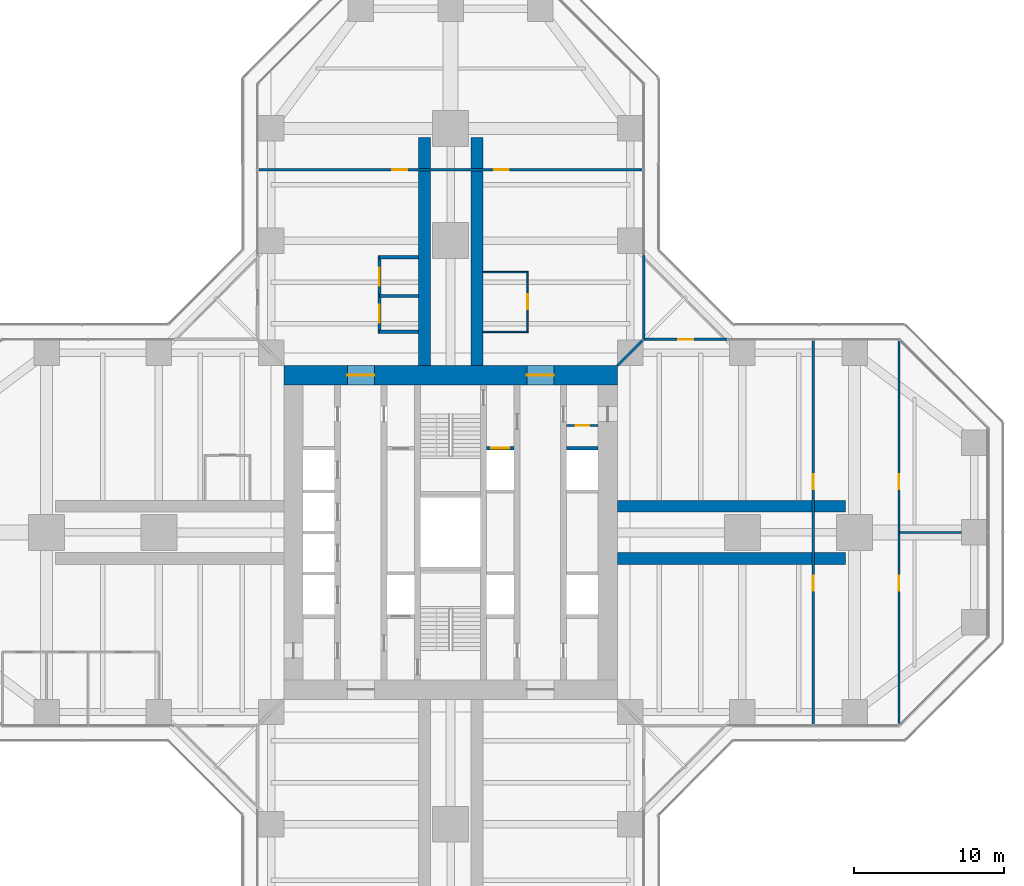
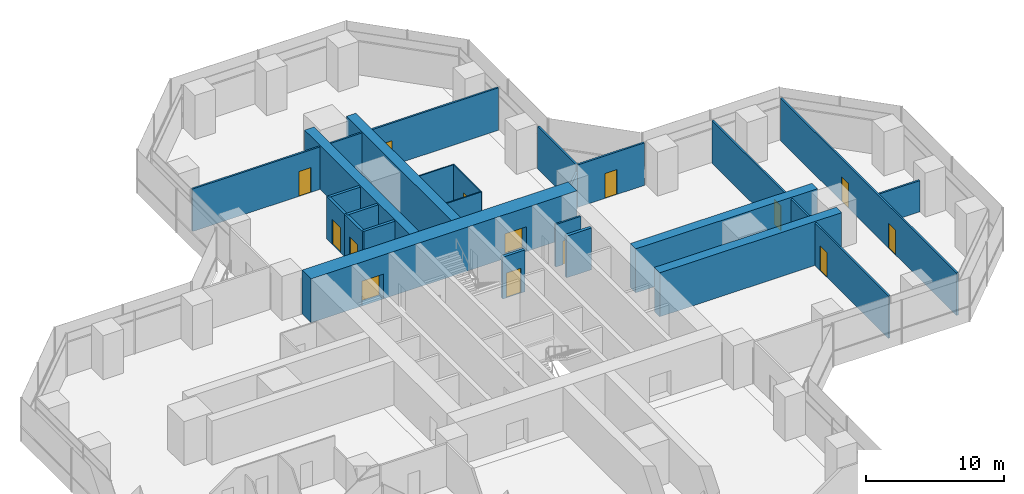
# One storey, part 19 of 22: 23 walls, 14 doors, 14 openings.
"""IFC4 building model written with IfcOpenShell, lengths in metres."""

from ifc_helpers import new_model, si_unit, direction, frame, frame_2d, origin, place, context, subcontext, project, spatial, rectangle, extrude, material, layer, layer_set, type_object, element, fill, save


model = new_model("IFC4")

# Units and contexts
model_context = context("Model", 3, precision=1e-05, world=origin(), true_north=direction((0.0, 1.0)))
body_context = subcontext(model_context, "Body", "Model", "MODEL_VIEW")
ifc_project = project(units=[si_unit("LENGTHUNIT", "METRE"), si_unit("AREAUNIT", "SQUARE_METRE"), si_unit("VOLUMEUNIT", "CUBIC_METRE"), si_unit("PLANEANGLEUNIT", "RADIAN"), si_unit("MASSUNIT", "GRAM", prefix="KILO")], contexts=[model_context])

# Site, building, storey
site_placement = place(None, origin())
site = spatial("IfcSite", under=ifc_project, at=site_placement, CompositionType="ELEMENT")
building_placement = place(site_placement, origin())
building = spatial("IfcBuilding", under=site, at=building_placement, Name="Mizan Broadcast Tower", CompositionType="ELEMENT")
storey_placement = place(building_placement, frame((0.0, 0.0, 74.699951171875)))
storey = spatial("IfcBuildingStorey", under=building, at=storey_placement, Name="L15", CompositionType="ELEMENT", Elevation=74.699951171875)

# Wall, opening, door
ifc_material_1 = material(Name="Concrete blockwork", Category="masonry")
ifc_layer_1 = layer(ifc_material_1, 0.14990234375)
ifc_layer_set_1 = layer_set([ifc_layer_1], Name="Concrete blockwork")
wall_type_1 = type_object("IfcWallType", Name="CORE PARTITION 150", PredefinedType="SOLIDWALL", material=ifc_layer_set_1)
wall_1_placement = place(storey_placement, frame((9.85009765625, 7.14990234375, 0.0), z_axis=(0.0, 0.0, 1.0), x_axis=(-1.0, 0.0, 0.0)))
wall_1 = element("IfcWall", 1, at=wall_1_placement, inside=storey, type_object=wall_type_1, Name="Core partition CORE/XPE", PredefinedType="SOLIDWALL", context=body_context, shape_type="SweptSolid", body=[
    extrude(rectangle(XDim=2.10009765625, YDim=0.14990234375, at=frame_2d((1.050048828125, 0.0))), origin(), (0.0, 0.0, 1.0), 3.77001953125),
])
opening_1_placement = place(wall_1_placement, frame((0.60009765625, 0.0, 0.0)))
opening_1 = element("IfcOpeningElement", 2, at=opening_1_placement, cuts=wall_1, Name="Opening D09F", PredefinedType="OPENING", context=body_context, shape_type="SweptSolid", body=[
    extrude(rectangle(XDim=0.89990234375, YDim=2.10009765625, at=frame_2d((0.449951171875, 1.050048828125))), frame((0.0, 0.0849609375, 0.0), z_axis=(0.0, -1.0, 0.0), x_axis=(1.0, 0.0, 0.0)), (0.0, 0.0, 1.0), 0.169921875),
])
ifc_material_2 = material(Name="Steel door leaf in steel frame", Category="steel")
door_type_1 = type_object("IfcDoorType", Name="CORE ROOM DOOR 900 FD90", OperationType="SINGLE_SWING_LEFT", PredefinedType="DOOR", material=ifc_material_2)
door_1_placement = place(opening_1_placement, origin())
door_1 = element("IfcDoor", 3, at=door_1_placement, inside=storey, type_object=door_type_1, Name="Comms cupboard door", OperationType="SINGLE_SWING_RIGHT", OverallHeight=2.10009765625, OverallWidth=0.89990234375, PredefinedType="DOOR", context=body_context, shape_type="SweptSolid", body=[
    extrude(rectangle(XDim=0.89990234375, YDim=2.10009765625, at=frame_2d((0.449951171875, 1.050048828125))), frame((0.0, 0.02490234375, 0.0), z_axis=(0.0, -1.0, 0.0), x_axis=(1.0, 0.0, 0.0)), (0.0, 0.0, 1.0), 0.050048828125),
])
fill(opening_1, door_1)

# Wall, openings, doors
ifc_material_3 = material(Name="Concrete C70/85", Category="concrete")
ifc_layer_2 = layer(ifc_material_3, 1.300048828125)
ifc_layer_set_2 = layer_set([ifc_layer_2], Name="Concrete C70/85")
wall_type_2 = type_object("IfcWallType", Name="CORE WALL 1300", PredefinedType="SHEAR", material=ifc_layer_set_2)
wall_2_placement = place(storey_placement, frame((-11.14990234375, 10.5, 0.0), z_axis=(0.0, 0.0, 1.0), x_axis=(1.0, 0.0, 0.0)))
wall_2 = element("IfcWall", 4, at=wall_2_placement, inside=storey, type_object=wall_type_2, Name="Core wall N L15", PredefinedType="SHEAR", context=body_context, shape_type="SweptSolid", body=[
    extrude(rectangle(XDim=22.2998046875, YDim=1.300048828125, at=frame_2d((11.14990234375, 0.0))), origin(), (0.0, 0.0, 1.0), 3.900146484375),
])
opening_2_placement = place(wall_2_placement, frame((4.25, 0.0, 0.0)))
opening_2 = element("IfcOpeningElement", 5, at=opening_2_placement, cuts=wall_2, Name="Opening D18F", PredefinedType="OPENING", context=body_context, shape_type="SweptSolid", body=[
    extrude(rectangle(XDim=1.800048828125, YDim=2.199951171875, at=frame_2d((0.89990234375, 1.10009765625))), frame((0.0, 0.659912109375, 0.0), z_axis=(0.0, -1.0, 0.0), x_axis=(1.0, 0.0, 0.0)), (0.0, 0.0, 1.0), 1.320068359375),
])
opening_3_placement = place(wall_2_placement, frame((16.25, 0.0, 0.0)))
opening_3 = element("IfcOpeningElement", 6, at=opening_3_placement, cuts=wall_2, Name="Opening D18F", PredefinedType="OPENING", context=body_context, shape_type="SweptSolid", body=[
    extrude(rectangle(XDim=1.800048828125, YDim=2.199951171875, at=frame_2d((0.89990234375, 1.10009765625))), frame((0.0, 0.659912109375, 0.0), z_axis=(0.0, -1.0, 0.0), x_axis=(1.0, 0.0, 0.0)), (0.0, 0.0, 1.0), 1.320068359375),
])
ifc_material_4 = material(Name="Steel door leaf in steel frame", Category="steel")
door_type_2 = type_object("IfcDoorType", Name="LOBBY DOUBLE DOOR 1800 FD90", OperationType="DOUBLE_DOOR_DOUBLE_SWING", PredefinedType="DOOR", material=ifc_material_4)
door_2_placement = place(opening_2_placement, origin())
door_2 = element("IfcDoor", 7, at=door_2_placement, inside=storey, type_object=door_type_2, Name="West lift lobby north door", OperationType="DOUBLE_DOOR_DOUBLE_SWING", OverallHeight=2.199951171875, OverallWidth=1.800048828125, PredefinedType="DOOR", context=body_context, shape_type="SweptSolid", body=[
    extrude(rectangle(XDim=1.800048828125, YDim=2.199951171875, at=frame_2d((0.89990234375, 1.10009765625))), frame((0.0, 0.02490234375, 0.0), z_axis=(0.0, -1.0, 0.0), x_axis=(1.0, 0.0, 0.0)), (0.0, 0.0, 1.0), 0.050048828125),
])
fill(opening_2, door_2)
door_3_placement = place(opening_3_placement, origin())
door_3 = element("IfcDoor", 8, at=door_3_placement, inside=storey, type_object=door_type_2, Name="East lift lobby north door", OperationType="DOUBLE_DOOR_DOUBLE_SWING", OverallHeight=2.199951171875, OverallWidth=1.800048828125, PredefinedType="DOOR", context=body_context, shape_type="SweptSolid", body=[
    extrude(rectangle(XDim=1.800048828125, YDim=2.199951171875, at=frame_2d((0.89990234375, 1.10009765625))), frame((0.0, 0.02490234375, 0.0), z_axis=(0.0, -1.0, 0.0), x_axis=(1.0, 0.0, 0.0)), (0.0, 0.0, 1.0), 0.050048828125),
])
fill(opening_3, door_3)

# Wall, opening, door
ifc_material_5 = material(Name="Aluminium framed glazed screen", Category="aluminium")
ifc_layer_3 = layer(ifc_material_5, 0.159912109375)
ifc_layer_set_3 = layer_set([ifc_layer_3], Name="Aluminium framed glazed screen")
wall_type_3 = type_object("IfcWallType", Name="GLAZED SCREEN WALL 160", PredefinedType="SOLIDWALL", material=ifc_layer_set_3)
wall_3_placement = place(storey_placement, frame((18.5, 12.89990234375, 0.0), z_axis=(0.0, 0.0, 1.0), x_axis=(-1.0, 0.0, 0.0)))
wall_3 = element("IfcWall", 9, at=wall_3_placement, inside=storey, type_object=wall_type_3, Name="Winter garden screen L15 E", PredefinedType="SOLIDWALL", context=body_context, shape_type="SweptSolid", body=[
    extrude(rectangle(XDim=5.60009765625, YDim=0.159912109375, at=frame_2d((2.800048828125, 0.0))), origin(), (0.0, 0.0, 1.0), 3.77001953125),
])
opening_4_placement = place(wall_3_placement, frame((2.300048828125, 0.0, 0.0)))
opening_4 = element("IfcOpeningElement", 10, at=opening_4_placement, cuts=wall_3, Name="Opening WGD", PredefinedType="OPENING", context=body_context, shape_type="SweptSolid", body=[
    extrude(rectangle(XDim=1.0, YDim=2.199951171875, at=frame_2d((0.5, 1.10009765625))), frame((0.0, 0.08984375, 0.0), z_axis=(0.0, -1.0, 0.0), x_axis=(1.0, 0.0, 0.0)), (0.0, 0.0, 1.0), 0.179931640625),
])
ifc_material_6 = material(Name="Aluminium framed glazed door", Category="aluminium")
door_type_3 = type_object("IfcDoorType", Name="WINTER GARDEN DOOR 1000 GLAZED", OperationType="SINGLE_SWING_LEFT", PredefinedType="DOOR", material=ifc_material_6)
door_4_placement = place(opening_4_placement, origin())
door_4 = element("IfcDoor", 11, at=door_4_placement, inside=storey, type_object=door_type_3, Name="Winter garden door L15 E", OperationType="SINGLE_SWING_RIGHT", OverallHeight=2.199951171875, OverallWidth=1.0, PredefinedType="DOOR", context=body_context, shape_type="SweptSolid", body=[
    extrude(rectangle(XDim=1.0, YDim=2.199951171875, at=frame_2d((0.5, 1.10009765625))), frame((0.0, 0.02490234375, 0.0), z_axis=(0.0, -1.0, 0.0), x_axis=(1.0, 0.0, 0.0)), (0.0, 0.0, 1.0), 0.050048828125),
])
fill(opening_4, door_4)

# Wall
wall_4_placement = place(storey_placement, frame((12.89990234375, 12.89990234375, 0.0), z_axis=(0.0, 0.0, 1.0), x_axis=(0.0, 1.0, 0.0)))
element("IfcWall", 12, at=wall_4_placement, inside=storey, type_object=wall_type_3, Name="Winter garden screen L15 N", PredefinedType="SOLIDWALL", context=body_context, shape_type="SweptSolid", body=[
    extrude(rectangle(XDim=5.60009765625, YDim=0.159912109375, at=frame_2d((2.800048828125, 0.0))), origin(), (0.0, 0.0, 1.0), 3.77001953125),
])

# Wall, opening, door
ifc_material_7 = material(Name="Concrete blockwork", Category="masonry")
ifc_layer_4 = layer(ifc_material_7, 0.25)
ifc_layer_set_4 = layer_set([ifc_layer_4], Name="Concrete blockwork")
wall_type_4 = type_object("IfcWallType", Name="LOBBY ENCLOSURE WALL 250", PredefinedType="SOLIDWALL", material=ifc_layer_set_4)
wall_5_placement = place(storey_placement, frame((2.39990234375, 5.625, 0.0), z_axis=(0.0, 0.0, 1.0), x_axis=(1.0, 0.0, 0.0)))
wall_5 = element("IfcWall", 13, at=wall_5_placement, inside=storey, type_object=wall_type_4, Name="Lobby enclosure wall CORE/BE2N", PredefinedType="SOLIDWALL", context=body_context, shape_type="SweptSolid", body=[
    extrude(rectangle(XDim=1.85009765625, YDim=0.25, at=frame_2d((0.925048828125, 0.0))), origin(), (0.0, 0.0, 1.0), 3.699951171875),
])
opening_5_placement = place(wall_5_placement, frame((0.324951171875, 0.0, 0.0)))
opening_5 = element("IfcOpeningElement", 14, at=opening_5_placement, cuts=wall_5, Name="Opening LDF", PredefinedType="OPENING", context=body_context, shape_type="SweptSolid", body=[
    extrude(rectangle(XDim=1.199951171875, YDim=2.199951171875, at=frame_2d((0.60009765625, 1.10009765625))), frame((0.0, 0.135009765625, 0.0), z_axis=(0.0, -1.0, 0.0), x_axis=(1.0, 0.0, 0.0)), (0.0, 0.0, 1.0), 0.27001953125),
])
ifc_material_8 = material(Name="Steel door leaf in steel frame", Category="steel")
door_type_4 = type_object("IfcDoorType", Name="FIREFIGHTING LIFT LANDING DOOR 1200", OperationType="SLIDING_TO_LEFT", PredefinedType="DOOR", material=ifc_material_8)
door_5_placement = place(opening_5_placement, origin())
door_5 = element("IfcDoor", 15, at=door_5_placement, inside=storey, type_object=door_type_4, Name="Landing door FF2", OperationType="SLIDING_TO_LEFT", OverallHeight=2.199951171875, OverallWidth=1.199951171875, PredefinedType="DOOR", context=body_context, shape_type="SweptSolid", body=[
    extrude(rectangle(XDim=1.199951171875, YDim=2.199951171875, at=frame_2d((0.60009765625, 1.10009765625))), frame((0.0, 0.02490234375, 0.0), z_axis=(0.0, -1.0, 0.0), x_axis=(1.0, 0.0, 0.0)), (0.0, 0.0, 1.0), 0.050048828125),
])
fill(opening_5, door_5)

# Wall
wall_6_placement = place(storey_placement, frame((7.75, 5.625, 0.0), z_axis=(0.0, 0.0, 1.0), x_axis=(1.0, 0.0, 0.0)))
element("IfcWall", 16, at=wall_6_placement, inside=storey, type_object=wall_type_4, Name="Lobby enclosure wall CORE/BE1N", PredefinedType="SOLIDWALL", context=body_context, shape_type="SweptSolid", body=[
    extrude(rectangle(XDim=2.10009765625, YDim=0.25, at=frame_2d((1.050048828125, 0.0))), origin(), (0.0, 0.0, 1.0), 3.699951171875),
])

# Wall, openings, doors
ifc_material_9 = material(Name="Gypsum board on steel studs", Category="steel")
ifc_layer_5 = layer(ifc_material_9, 0.14990234375)
ifc_layer_set_5 = layer_set([ifc_layer_5], Name="Gypsum board on steel studs")
wall_type_5 = type_object("IfcWallType", Name="PARTITION 150", PredefinedType="PARTITIONING", material=ifc_layer_set_5)
wall_7_placement = place(storey_placement, frame((24.22900390625, -12.820068359375, 0.0), z_axis=(0.0, 0.0, 1.0), x_axis=(0.0, 1.0, 0.0)))
wall_7 = element("IfcWall", 17, at=wall_7_placement, inside=storey, type_object=wall_type_5, Name="Partition PT/EX1", PredefinedType="PARTITIONING", context=body_context, shape_type="SweptSolid", body=[
    extrude(rectangle(XDim=25.64013671875, YDim=0.14990234375, at=frame_2d((12.820068359375, 0.0))), origin(), (0.0, 0.0, 1.0), 3.77001953125),
])
opening_6_placement = place(wall_7_placement, frame((15.719970703125, 0.0, 0.0)))
opening_6 = element("IfcOpeningElement", 18, at=opening_6_placement, cuts=wall_7, Name="Opening D10", PredefinedType="OPENING", context=body_context, shape_type="SweptSolid", body=[
    extrude(rectangle(XDim=1.0, YDim=2.199951171875, at=frame_2d((0.5, 1.10009765625))), frame((0.0, 0.0849609375, 0.0), z_axis=(0.0, -1.0, 0.0), x_axis=(1.0, 0.0, 0.0)), (0.0, 0.0, 1.0), 0.169921875),
])
opening_7_placement = place(wall_7_placement, frame((8.919921875, 0.0, 0.0)))
opening_7 = element("IfcOpeningElement", 19, at=opening_7_placement, cuts=wall_7, Name="Opening D10", PredefinedType="OPENING", context=body_context, shape_type="SweptSolid", body=[
    extrude(rectangle(XDim=1.0, YDim=2.199951171875, at=frame_2d((0.5, 1.10009765625))), frame((0.0, 0.0849609375, 0.0), z_axis=(0.0, -1.0, 0.0), x_axis=(1.0, 0.0, 0.0)), (0.0, 0.0, 1.0), 0.169921875),
])
ifc_material_10 = material(Name="Timber door leaf in aluminium frame", Category="wood")
door_type_5 = type_object("IfcDoorType", Name="ROOM DOOR 1000", OperationType="SINGLE_SWING_LEFT", PredefinedType="DOOR", material=ifc_material_10)
door_6_placement = place(opening_6_placement, origin())
door_6 = element("IfcDoor", 20, at=door_6_placement, inside=storey, type_object=door_type_5, Name="Open office door", OperationType="SINGLE_SWING_RIGHT", OverallHeight=2.199951171875, OverallWidth=1.0, PredefinedType="DOOR", context=body_context, shape_type="SweptSolid", body=[
    extrude(rectangle(XDim=1.0, YDim=2.199951171875, at=frame_2d((0.5, 1.10009765625))), frame((0.0, 0.02490234375, 0.0), z_axis=(0.0, -1.0, 0.0), x_axis=(1.0, 0.0, 0.0)), (0.0, 0.0, 1.0), 0.050048828125),
])
fill(opening_6, door_6)
door_7_placement = place(opening_7_placement, origin())
door_7 = element("IfcDoor", 21, at=door_7_placement, inside=storey, type_object=door_type_5, Name="Open office door", OperationType="SINGLE_SWING_LEFT", OverallHeight=2.199951171875, OverallWidth=1.0, PredefinedType="DOOR", context=body_context, shape_type="SweptSolid", body=[
    extrude(rectangle(XDim=1.0, YDim=2.199951171875, at=frame_2d((0.5, 1.10009765625))), frame((0.0, 0.02490234375, 0.0), z_axis=(0.0, -1.0, 0.0), x_axis=(1.0, 0.0, 0.0)), (0.0, 0.0, 1.0), 0.050048828125),
])
fill(opening_7, door_7)

wall_8_placement = place(storey_placement, frame((29.958984375, -12.786376953125, 0.0), z_axis=(0.0, 0.0, 1.0), x_axis=(0.0, 1.0, 0.0)))
wall_8 = element("IfcWall", 22, at=wall_8_placement, inside=storey, type_object=wall_type_5, Name="Partition PT/EX2", PredefinedType="PARTITIONING", context=body_context, shape_type="SweptSolid", body=[
    extrude(rectangle(XDim=25.57275390625, YDim=0.14990234375, at=frame_2d((12.786376953125, 0.0))), origin(), (0.0, 0.0, 1.0), 3.77001953125),
])
opening_8_placement = place(wall_8_placement, frame((15.6865234375, 0.0, 0.0)))
opening_8 = element("IfcOpeningElement", 23, at=opening_8_placement, cuts=wall_8, Name="Opening D10", PredefinedType="OPENING", context=body_context, shape_type="SweptSolid", body=[
    extrude(rectangle(XDim=1.0, YDim=2.199951171875, at=frame_2d((0.5, 1.10009765625))), frame((0.0, 0.0849609375, 0.0), z_axis=(0.0, -1.0, 0.0), x_axis=(1.0, 0.0, 0.0)), (0.0, 0.0, 1.0), 0.169921875),
])
opening_9_placement = place(wall_8_placement, frame((8.886474609375, 0.0, 0.0)))
opening_9 = element("IfcOpeningElement", 24, at=opening_9_placement, cuts=wall_8, Name="Opening D10", PredefinedType="OPENING", context=body_context, shape_type="SweptSolid", body=[
    extrude(rectangle(XDim=1.0, YDim=2.199951171875, at=frame_2d((0.5, 1.10009765625))), frame((0.0, 0.0849609375, 0.0), z_axis=(0.0, -1.0, 0.0), x_axis=(1.0, 0.0, 0.0)), (0.0, 0.0, 1.0), 0.169921875),
])
door_8_placement = place(opening_8_placement, origin())
door_8 = element("IfcDoor", 25, at=door_8_placement, inside=storey, type_object=door_type_5, Name="Open office door", OperationType="SINGLE_SWING_RIGHT", OverallHeight=2.199951171875, OverallWidth=1.0, PredefinedType="DOOR", context=body_context, shape_type="SweptSolid", body=[
    extrude(rectangle(XDim=1.0, YDim=2.199951171875, at=frame_2d((0.5, 1.10009765625))), frame((0.0, 0.02490234375, 0.0), z_axis=(0.0, -1.0, 0.0), x_axis=(1.0, 0.0, 0.0)), (0.0, 0.0, 1.0), 0.050048828125),
])
fill(opening_8, door_8)
door_9_placement = place(opening_9_placement, origin())
door_9 = element("IfcDoor", 26, at=door_9_placement, inside=storey, type_object=door_type_5, Name="Open office door", OperationType="SINGLE_SWING_LEFT", OverallHeight=2.199951171875, OverallWidth=1.0, PredefinedType="DOOR", context=body_context, shape_type="SweptSolid", body=[
    extrude(rectangle(XDim=1.0, YDim=2.199951171875, at=frame_2d((0.5, 1.10009765625))), frame((0.0, 0.02490234375, 0.0), z_axis=(0.0, -1.0, 0.0), x_axis=(1.0, 0.0, 0.0)), (0.0, 0.0, 1.0), 0.050048828125),
])
fill(opening_9, door_9)

# Wall
wall_9_placement = place(storey_placement, frame((29.958984375, 0.0, 0.0), z_axis=(0.0, 0.0, 1.0), x_axis=(1.0, 0.0, 0.0)))
element("IfcWall", 27, at=wall_9_placement, inside=storey, type_object=wall_type_5, Name="Partition PT/EES", PredefinedType="PARTITIONING", context=body_context, shape_type="SweptSolid", body=[
    extrude(rectangle(XDim=4.19091796875, YDim=0.14990234375, at=frame_2d((2.095458984375, 0.0))), origin(), (0.0, 0.0, 1.0), 2.77001953125),
])

# Wall, openings, doors
wall_10_placement = place(storey_placement, frame((12.820068359375, 24.22900390625, 0.0), z_axis=(0.0, 0.0, 1.0), x_axis=(-1.0, 0.0, 0.0)))
wall_10 = element("IfcWall", 28, at=wall_10_placement, inside=storey, type_object=wall_type_5, Name="Partition PT/NX1", PredefinedType="PARTITIONING", context=body_context, shape_type="SweptSolid", body=[
    extrude(rectangle(XDim=25.64013671875, YDim=0.14990234375, at=frame_2d((12.820068359375, 0.0))), origin(), (0.0, 0.0, 1.0), 3.77001953125),
])
opening_10_placement = place(wall_10_placement, frame((15.719970703125, 0.0, 0.0)))
opening_10 = element("IfcOpeningElement", 29, at=opening_10_placement, cuts=wall_10, Name="Opening D10", PredefinedType="OPENING", context=body_context, shape_type="SweptSolid", body=[
    extrude(rectangle(XDim=1.0, YDim=2.199951171875, at=frame_2d((0.5, 1.10009765625))), frame((0.0, 0.0849609375, 0.0), z_axis=(0.0, -1.0, 0.0), x_axis=(1.0, 0.0, 0.0)), (0.0, 0.0, 1.0), 0.169921875),
])
opening_11_placement = place(wall_10_placement, frame((8.919921875, 0.0, 0.0)))
opening_11 = element("IfcOpeningElement", 30, at=opening_11_placement, cuts=wall_10, Name="Opening D10", PredefinedType="OPENING", context=body_context, shape_type="SweptSolid", body=[
    extrude(rectangle(XDim=1.0, YDim=2.199951171875, at=frame_2d((0.5, 1.10009765625))), frame((0.0, 0.0849609375, 0.0), z_axis=(0.0, -1.0, 0.0), x_axis=(1.0, 0.0, 0.0)), (0.0, 0.0, 1.0), 0.169921875),
])
door_10_placement = place(opening_10_placement, origin())
door_10 = element("IfcDoor", 31, at=door_10_placement, inside=storey, type_object=door_type_5, Name="Collaboration area door", OperationType="SINGLE_SWING_RIGHT", OverallHeight=2.199951171875, OverallWidth=1.0, PredefinedType="DOOR", context=body_context, shape_type="SweptSolid", body=[
    extrude(rectangle(XDim=1.0, YDim=2.199951171875, at=frame_2d((0.5, 1.10009765625))), frame((0.0, 0.02490234375, 0.0), z_axis=(0.0, -1.0, 0.0), x_axis=(1.0, 0.0, 0.0)), (0.0, 0.0, 1.0), 0.050048828125),
])
fill(opening_10, door_10)
door_11_placement = place(opening_11_placement, origin())
door_11 = element("IfcDoor", 32, at=door_11_placement, inside=storey, type_object=door_type_5, Name="Collaboration area door", OperationType="SINGLE_SWING_LEFT", OverallHeight=2.199951171875, OverallWidth=1.0, PredefinedType="DOOR", context=body_context, shape_type="SweptSolid", body=[
    extrude(rectangle(XDim=1.0, YDim=2.199951171875, at=frame_2d((0.5, 1.10009765625))), frame((0.0, 0.02490234375, 0.0), z_axis=(0.0, -1.0, 0.0), x_axis=(1.0, 0.0, 0.0)), (0.0, 0.0, 1.0), 0.050048828125),
])
fill(opening_11, door_11)

# Walls
wall_11_placement = place(storey_placement, frame((11.14990234375, 11.14990234375, 0.0), z_axis=(0.0, 0.0, 1.0), x_axis=(0.707106781187, 0.707106781187, 0.0)))
element("IfcWall", 33, at=wall_11_placement, inside=storey, type_object=wall_type_5, Name="Partition PT/DGEN", PredefinedType="PARTITIONING", context=body_context, shape_type="SweptSolid", body=[
    extrude(rectangle(XDim=2.362060546875, YDim=0.14990234375, at=frame_2d((1.18115234375, 0.0))), origin(), (0.0, 0.0, 1.0), 3.219970703125),
])
ifc_material_11 = material(Name="Twin steel stud acoustic partition, four layers of gypsum board", Category="steel")
ifc_layer_6 = layer(ifc_material_11, 0.22509765625)
ifc_layer_set_6 = layer_set([ifc_layer_6], Name="Twin steel stud acoustic partition, four layers of gypsum board")
wall_type_6 = type_object("IfcWallType", Name="PARTITION ACOUSTIC 225", PredefinedType="PARTITIONING", material=ifc_layer_set_6)
for number, where, z_axis, x_axis, name in (
    (34, (-2.14990234375, 13.39990234375, 0.0), (0.0, 0.0, 1.0), (-1.0, 0.0, 0.0), "Acoustic partition PT/NKP0a"),
    (35, (-2.14990234375, 15.800048828125, 0.0), (0.0, 0.0, 1.0), (-1.0, 0.0, 0.0), "Acoustic partition PT/NKP0b"),
):
    element("IfcWall", number, at=place(storey_placement, frame(where, z_axis=z_axis, x_axis=x_axis)), inside=storey, type_object=wall_type_6, Name=name, PredefinedType="PARTITIONING", context=body_context, shape_type="SweptSolid", body=[
        extrude(rectangle(XDim=2.60009765625, YDim=0.22509765625, at=frame_2d((1.300048828125, 0.0))), origin(), (0.0, 0.0, 1.0), 3.77001953125),
    ])

# Wall, opening, door
wall_12_placement = place(storey_placement, frame((-4.75, 13.28759765625, 0.0), z_axis=(0.0, 0.0, 1.0), x_axis=(0.0, 1.0, 0.0)))
wall_12 = element("IfcWall", 36, at=wall_12_placement, inside=storey, type_object=wall_type_6, Name="Acoustic partition PT/NKP0f", PredefinedType="PARTITIONING", context=body_context, shape_type="SweptSolid", body=[
    extrude(rectangle(XDim=2.625, YDim=0.22509765625, at=frame_2d((1.3125, 0.0))), origin(), (0.0, 0.0, 1.0), 3.77001953125),
])
opening_12_placement = place(wall_12_placement, frame((0.71240234375, 0.0, 0.0)))
opening_12 = element("IfcOpeningElement", 37, at=opening_12_placement, cuts=wall_12, Name="Opening D12A", PredefinedType="OPENING", context=body_context, shape_type="SweptSolid", body=[
    extrude(rectangle(XDim=1.199951171875, YDim=2.199951171875, at=frame_2d((0.60009765625, 1.10009765625))), frame((0.0, 0.12255859375, 0.0), z_axis=(0.0, -1.0, 0.0), x_axis=(1.0, 0.0, 0.0)), (0.0, 0.0, 1.0), 0.2451171875),
])
ifc_material_12 = material(Name="Timber door leaf in aluminium frame", Category="wood")
door_type_6 = type_object("IfcDoorType", Name="ACOUSTIC DOOR 1200", OperationType="SINGLE_SWING_LEFT", PredefinedType="DOOR", material=ifc_material_12)
door_12_placement = place(opening_12_placement, origin())
door_12 = element("IfcDoor", 38, at=door_12_placement, inside=storey, type_object=door_type_6, Name="Podcast booth door", OperationType="SINGLE_SWING_LEFT", OverallHeight=2.199951171875, OverallWidth=1.199951171875, PredefinedType="DOOR", context=body_context, shape_type="SweptSolid", body=[
    extrude(rectangle(XDim=1.199951171875, YDim=2.199951171875, at=frame_2d((0.60009765625, 1.10009765625))), frame((0.0, 0.02490234375, 0.0), z_axis=(0.0, -1.0, 0.0), x_axis=(1.0, 0.0, 0.0)), (0.0, 0.0, 1.0), 0.050048828125),
])
fill(opening_12, door_12)

# Wall
wall_13_placement = place(storey_placement, frame((-2.14990234375, 18.39990234375, 0.0), z_axis=(0.0, 0.0, 1.0), x_axis=(-1.0, 0.0, 0.0)))
element("IfcWall", 39, at=wall_13_placement, inside=storey, type_object=wall_type_6, Name="Acoustic partition PT/NKP1b", PredefinedType="PARTITIONING", context=body_context, shape_type="SweptSolid", body=[
    extrude(rectangle(XDim=2.60009765625, YDim=0.22509765625, at=frame_2d((1.300048828125, 0.0))), origin(), (0.0, 0.0, 1.0), 3.77001953125),
])

# Wall, opening, door
wall_14_placement = place(storey_placement, frame((-4.75, 15.91259765625, 0.0), z_axis=(0.0, 0.0, 1.0), x_axis=(0.0, 1.0, 0.0)))
wall_14 = element("IfcWall", 40, at=wall_14_placement, inside=storey, type_object=wall_type_6, Name="Acoustic partition PT/NKP1f", PredefinedType="PARTITIONING", context=body_context, shape_type="SweptSolid", body=[
    extrude(rectangle(XDim=2.599853515625, YDim=0.22509765625, at=frame_2d((1.2998046875, 0.0))), origin(), (0.0, 0.0, 1.0), 3.77001953125),
])
opening_13_placement = place(wall_14_placement, frame((0.58740234375, 0.0, 0.0)))
opening_13 = element("IfcOpeningElement", 41, at=opening_13_placement, cuts=wall_14, Name="Opening D12A", PredefinedType="OPENING", context=body_context, shape_type="SweptSolid", body=[
    extrude(rectangle(XDim=1.199951171875, YDim=2.199951171875, at=frame_2d((0.60009765625, 1.10009765625))), frame((0.0, 0.12255859375, 0.0), z_axis=(0.0, -1.0, 0.0), x_axis=(1.0, 0.0, 0.0)), (0.0, 0.0, 1.0), 0.2451171875),
])
door_13_placement = place(opening_13_placement, origin())
door_13 = element("IfcDoor", 42, at=door_13_placement, inside=storey, type_object=door_type_6, Name="Podcast booth door", OperationType="SINGLE_SWING_LEFT", OverallHeight=2.199951171875, OverallWidth=1.199951171875, PredefinedType="DOOR", context=body_context, shape_type="SweptSolid", body=[
    extrude(rectangle(XDim=1.199951171875, YDim=2.199951171875, at=frame_2d((0.60009765625, 1.10009765625))), frame((0.0, 0.02490234375, 0.0), z_axis=(0.0, -1.0, 0.0), x_axis=(1.0, 0.0, 0.0)), (0.0, 0.0, 1.0), 0.050048828125),
])
fill(opening_13, door_13)

# Walls
ifc_material_13 = material(Name="Glazed aluminium partition on aluminium track", Category="aluminium")
ifc_layer_7 = layer(ifc_material_13, 0.10009765625)
ifc_layer_set_7 = layer_set([ifc_layer_7], Name="Glazed aluminium partition on aluminium track")
wall_type_7 = type_object("IfcWallType", Name="PARTITION GLAZED OFFICE FRONT 100", PredefinedType="PARTITIONING", material=ifc_layer_set_7)
for number, where, z_axis, x_axis, name in (
    (43, (2.14990234375, 13.39990234375, 0.0), (0.0, 0.0, 1.0), (1.0, 0.0, 0.0), "Glazed office front PT/NKN0a"),
    (44, (2.14990234375, 17.39990234375, 0.0), (0.0, 0.0, 1.0), (1.0, 0.0, 0.0), "Glazed office front PT/NKN0b"),
):
    element("IfcWall", number, at=place(storey_placement, frame(where, z_axis=z_axis, x_axis=x_axis)), inside=storey, type_object=wall_type_7, Name=name, PredefinedType="PARTITIONING", context=body_context, shape_type="SweptSolid", body=[
        extrude(rectangle(XDim=3.0, YDim=0.10009765625, at=frame_2d((1.5, 0.0))), origin(), (0.0, 0.0, 1.0), 3.77001953125),
    ])

# Wall, opening, door
wall_15_placement = place(storey_placement, frame((5.14990234375, 13.35009765625, 0.0), z_axis=(0.0, 0.0, 1.0), x_axis=(0.0, 1.0, 0.0)))
wall_15 = element("IfcWall", 45, at=wall_15_placement, inside=storey, type_object=wall_type_7, Name="Glazed office front PT/NKN0f", PredefinedType="PARTITIONING", context=body_context, shape_type="SweptSolid", body=[
    extrude(rectangle(XDim=4.099853515625, YDim=0.10009765625, at=frame_2d((2.0498046875, 0.0))), origin(), (0.0, 0.0, 1.0), 3.77001953125),
])
opening_14_placement = place(wall_15_placement, frame((1.550048828125, 0.0, 0.0)))
opening_14 = element("IfcOpeningElement", 46, at=opening_14_placement, cuts=wall_15, Name="Opening D10O", PredefinedType="OPENING", context=body_context, shape_type="SweptSolid", body=[
    extrude(rectangle(XDim=1.0, YDim=2.199951171875, at=frame_2d((0.5, 1.10009765625))), frame((0.0, 0.06005859375, 0.0), z_axis=(0.0, -1.0, 0.0), x_axis=(1.0, 0.0, 0.0)), (0.0, 0.0, 1.0), 0.1201171875),
])
ifc_material_14 = material(Name="Timber door leaf in aluminium frame", Category="wood")
door_type_7 = type_object("IfcDoorType", Name="OFFICE DOOR 1000 GLAZED", OperationType="SINGLE_SWING_LEFT", PredefinedType="DOOR", material=ifc_material_14)
door_14_placement = place(opening_14_placement, origin())
door_14 = element("IfcDoor", 47, at=door_14_placement, inside=storey, type_object=door_type_7, Name="Social media hub door", OperationType="SINGLE_SWING_LEFT", OverallHeight=2.199951171875, OverallWidth=1.0, PredefinedType="DOOR", context=body_context, shape_type="SweptSolid", body=[
    extrude(rectangle(XDim=1.0, YDim=2.199951171875, at=frame_2d((0.5, 1.10009765625))), frame((0.0, 0.02490234375, 0.0), z_axis=(0.0, -1.0, 0.0), x_axis=(1.0, 0.0, 0.0)), (0.0, 0.0, 1.0), 0.050048828125),
])
fill(opening_14, door_14)

# Walls
ifc_material_15 = material(Name="Concrete C70/85", Category="concrete")
ifc_layer_8 = layer(ifc_material_15, 0.800048828125)
ifc_layer_set_8 = layer_set([ifc_layer_8], Name="Concrete C70/85")
wall_type_8 = type_object("IfcWallType", Name="SPINE WALL 800", PredefinedType="SHEAR", material=ifc_layer_set_8)
for number, where, z_axis, x_axis, name in (
    (48, (11.14990234375, -1.75, 0.0), (0.0, 0.0, 1.0), (1.0, 0.0, 0.0), "Spine wall ER L15"),
    (49, (11.14990234375, 1.75, 0.0), (0.0, 0.0, 1.0), (1.0, 0.0, 0.0), "Spine wall EL L15"),
    (50, (1.75, 11.14990234375, 0.0), (0.0, 0.0, 1.0), (0.0, 1.0, 0.0), "Spine wall NR L15"),
    (51, (-1.75, 11.14990234375, 0.0), (0.0, 0.0, 1.0), (0.0, 1.0, 0.0), "Spine wall NL L15"),
):
    element("IfcWall", number, at=place(storey_placement, frame(where, z_axis=z_axis, x_axis=x_axis)), inside=storey, type_object=wall_type_8, Name=name, PredefinedType="SHEAR", context=body_context, shape_type="SweptSolid", body=[
        extrude(rectangle(XDim=15.25, YDim=0.800048828125, at=frame_2d((7.625, 0.0))), origin(), (0.0, 0.0, 1.0), 3.900146484375),
    ])

save(model, "model.ifc")
